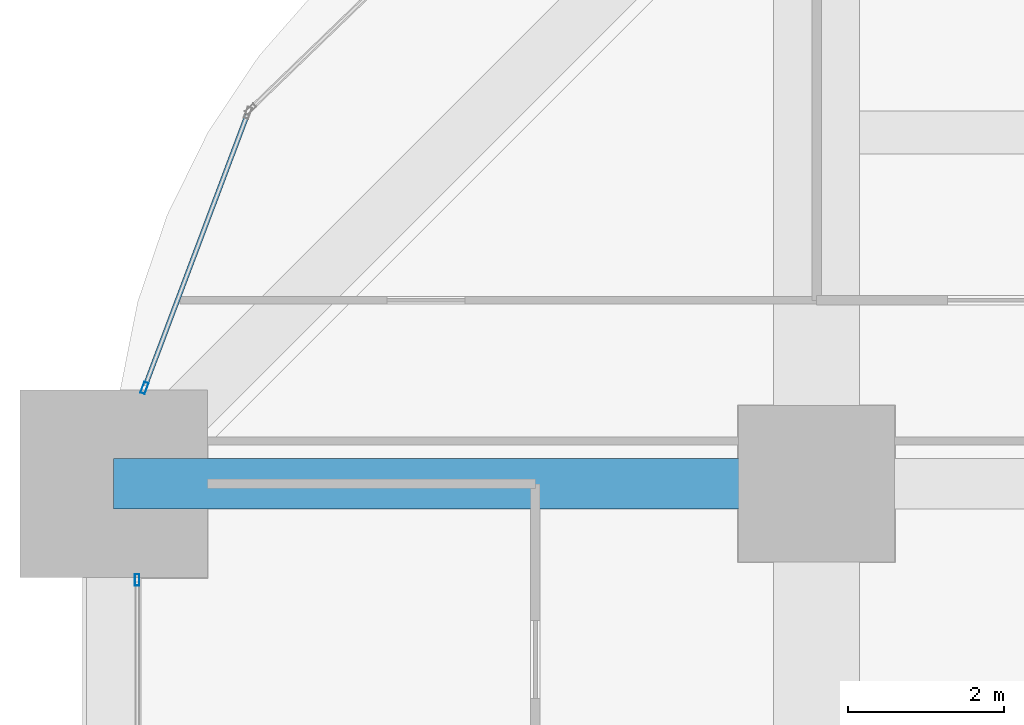
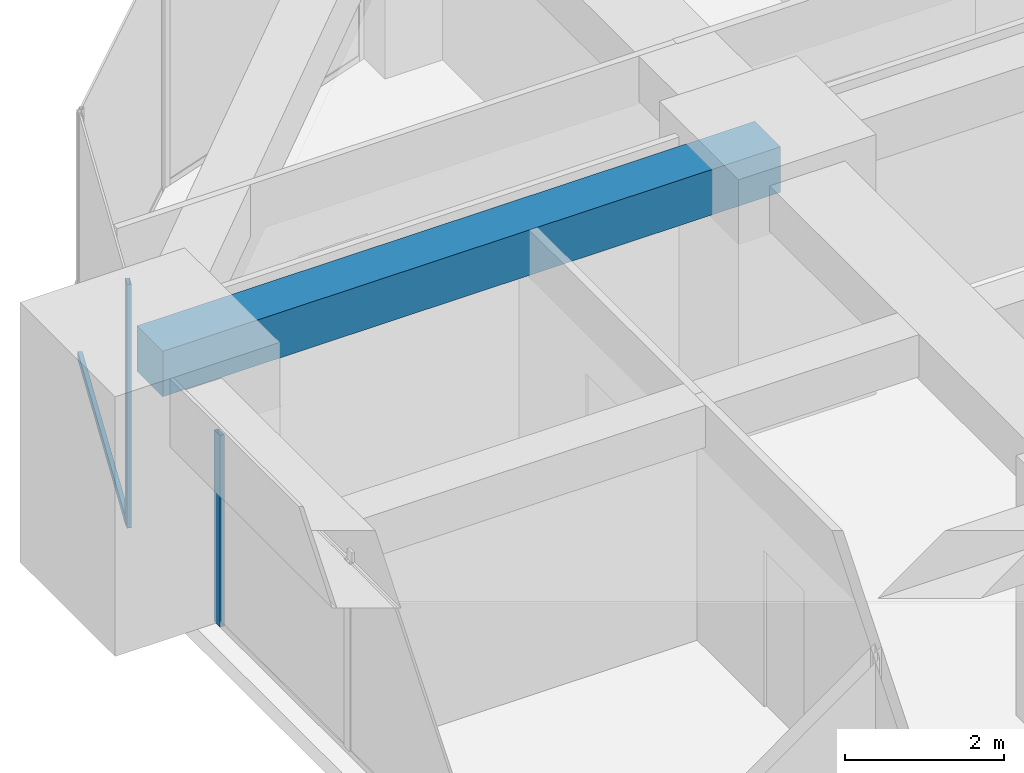
# One storey, part 24 of 41: 3 members, 1 beam, 2 elements without a shape of their own.
"""IFC4 building model written with IfcOpenShell, lengths in metres."""

from ifc_helpers import new_model, si_unit, direction, frame, origin, origin_2d, place, context, subcontext, project, spatial, rectangle, hollow_rectangle, extrude, material, material_profile, profile_set, type_object, element, aggregate, save


model = new_model("IFC4")

# Units and contexts
model_context = context("Model", 3, precision=1e-05, world=origin(), true_north=direction((0.0, 1.0)))
body_context = subcontext(model_context, "Body", "Model", "MODEL_VIEW")
ifc_project = project(units=[si_unit("LENGTHUNIT", "METRE"), si_unit("AREAUNIT", "SQUARE_METRE"), si_unit("VOLUMEUNIT", "CUBIC_METRE"), si_unit("PLANEANGLEUNIT", "RADIAN"), si_unit("MASSUNIT", "GRAM", prefix="KILO")], contexts=[model_context])

# Site, building, storey
site_placement = place(None, origin())
site = spatial("IfcSite", under=ifc_project, at=site_placement, CompositionType="ELEMENT")
building_placement = place(site_placement, origin())
building = spatial("IfcBuilding", under=site, at=building_placement, Name="Zorevar Civic Tower", CompositionType="ELEMENT")
storey_placement = place(building_placement, frame((0.0, 0.0, 109.0)))
storey = spatial("IfcBuildingStorey", under=building, at=storey_placement, Name="L26", CompositionType="ELEMENT", Elevation=109.0)

# Beam
ifc_material_1 = material(Name="Concrete C50/60", Category="concrete")
ifc_material_profile_1 = material_profile(ifc_material_1, rectangle(XDim=0.64990234375, YDim=0.699951171875, at=origin_2d()), Name="RC 650x700")
ifc_profile_set_1 = profile_set([ifc_material_profile_1], Name="Concrete C50/60")
beam_type = type_object("IfcBeamType", Name="Beam RC 650x700", PredefinedType="BEAM", material=ifc_profile_set_1)
beam_placement = place(storey_placement, frame((0.0, 36.0, 3.39990234375), z_axis=(1.0, 0.0, 0.0), x_axis=(0.0, 1.0, 0.0)))
element("IfcBeam", 1, at=beam_placement, inside=storey, type_object=beam_type, Name="Girder L27", PredefinedType="BEAM", context=body_context, shape_type="SweptSolid", body=[
    extrude(rectangle(XDim=0.64990234375, YDim=0.699951171875, at=origin_2d()), origin(), (0.0, 0.0, 1.0), 9.0),
])

# Curtain wall, member
ifc_material_2 = material(Name="Dark grey solar-control glass in black aluminium frame", Category="aluminium")
curtain_wall_type = type_object("IfcCurtainWallType", Name="Curtain wall CW3 mid zone", PredefinedType="NOTDEFINED", material=ifc_material_2)
curtain_wall_1_placement = place(storey_placement, origin())
curtain_wall_1 = element("IfcCurtainWall", 2, at=curtain_wall_1_placement, inside=storey, type_object=curtain_wall_type, Name="CW3 L26", PredefinedType="NOTDEFINED")
ifc_material_3 = material(Name="Aluminium, black anodised", Category="aluminium")
ifc_material_profile_2 = material_profile(ifc_material_3, hollow_rectangle(XDim=0.06005859375, YDim=0.14990234375, WallThickness=0.00390625, at=origin_2d()), Name="AL 150x60x4")
ifc_profile_set_2 = profile_set([ifc_material_profile_2], Name="Aluminium, black anodised")
member_type_1 = type_object("IfcMemberType", Name="CW3 mullion AL 150x60x4", PredefinedType="MULLION", material=ifc_profile_set_2)
member_1_placement = place(storey_placement, frame((0.300048828125, 34.77001953125, 0.0), z_axis=(0.0, 0.0, 1.0), x_axis=(-1.0, 0.0, 0.0)))
member_1 = element("IfcMember", 3, at=member_1_placement, type_object=member_type_1, Name="CW3 mullion 3", PredefinedType="MULLION", context=body_context, shape_type="SweptSolid", body=[
    extrude(hollow_rectangle(XDim=0.06005859375, YDim=0.14990234375, WallThickness=0.00390625, at=origin_2d()), origin(), (0.0, 0.0, 1.0), 2.949951171875),
])
aggregate(curtain_wall_1, [member_1])

# Curtain wall, members
curtain_wall_2_placement = place(storey_placement, origin())
curtain_wall_2 = element("IfcCurtainWall", 4, at=curtain_wall_2_placement, inside=storey, type_object=curtain_wall_type, Name="CW3 L26", PredefinedType="NOTDEFINED")
member_2_placement = place(storey_placement, frame((0.393798828125, 37.22802734375, 0.0), z_axis=(0.0, 0.0, 1.0), x_axis=(0.935950528564, -0.352131520999, 0.0)))
member_2 = element("IfcMember", 5, at=member_2_placement, type_object=member_type_1, Name="CW3 mullion 2", PredefinedType="MULLION", context=body_context, shape_type="SweptSolid", body=[
    extrude(hollow_rectangle(XDim=0.06005859375, YDim=0.14990234375, WallThickness=0.00390625, at=origin_2d()), origin(), (0.0, 0.0, 1.0), 3.75),
])
ifc_material_4 = material(Name="Aluminium, black anodised", Category="aluminium")
ifc_material_profile_3 = material_profile(ifc_material_4, hollow_rectangle(XDim=0.06005859375, YDim=0.1201171875, WallThickness=0.0029296875, at=origin_2d()), Name="AL 120x60x3")
ifc_profile_set_3 = profile_set([ifc_material_profile_3], Name="Aluminium, black anodised")
member_type_2 = type_object("IfcMemberType", Name="CW3 transom AL 120x60x3", PredefinedType="USERDEFINED", material=ifc_profile_set_3)
member_3_placement = place(storey_placement, frame((1.7080078125, 40.72119140625, 0.030029296875), z_axis=(-0.352142207579, -0.935946507895, 0.0), x_axis=(0.935946507895, -0.352142207579, 0.0)))
member_3 = element("IfcMember", 6, at=member_3_placement, type_object=member_type_2, Name="CW3 sill transom", ObjectType="TRANSOM", PredefinedType="USERDEFINED", context=body_context, shape_type="SweptSolid", body=[
    extrude(hollow_rectangle(XDim=0.06005859375, YDim=0.1201171875, WallThickness=0.0029296875, at=origin_2d()), origin(), (0.0, 0.0, 1.0), 3.7021484375),
])
aggregate(curtain_wall_2, [member_2, member_3])

save(model, "model.ifc")
